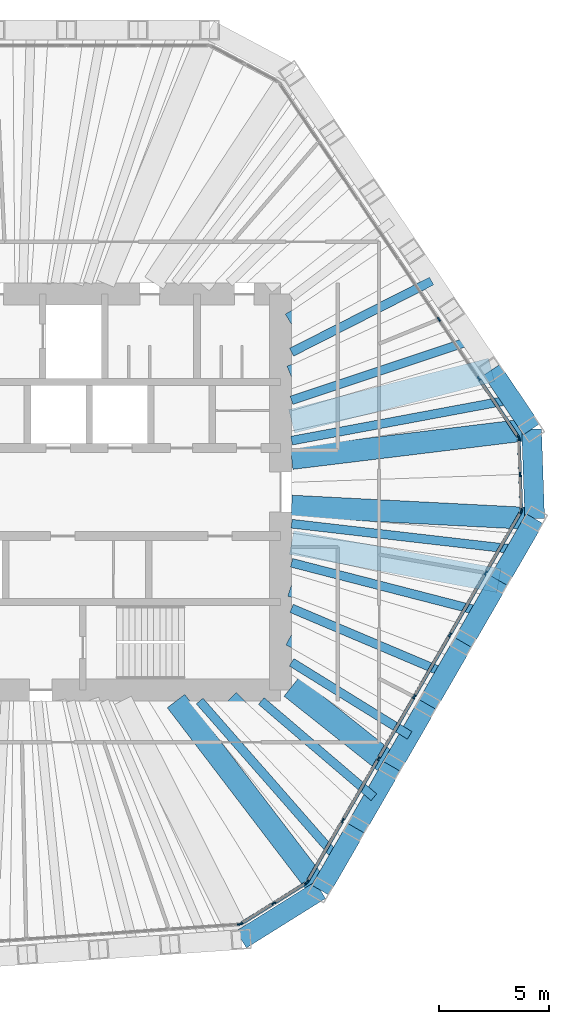
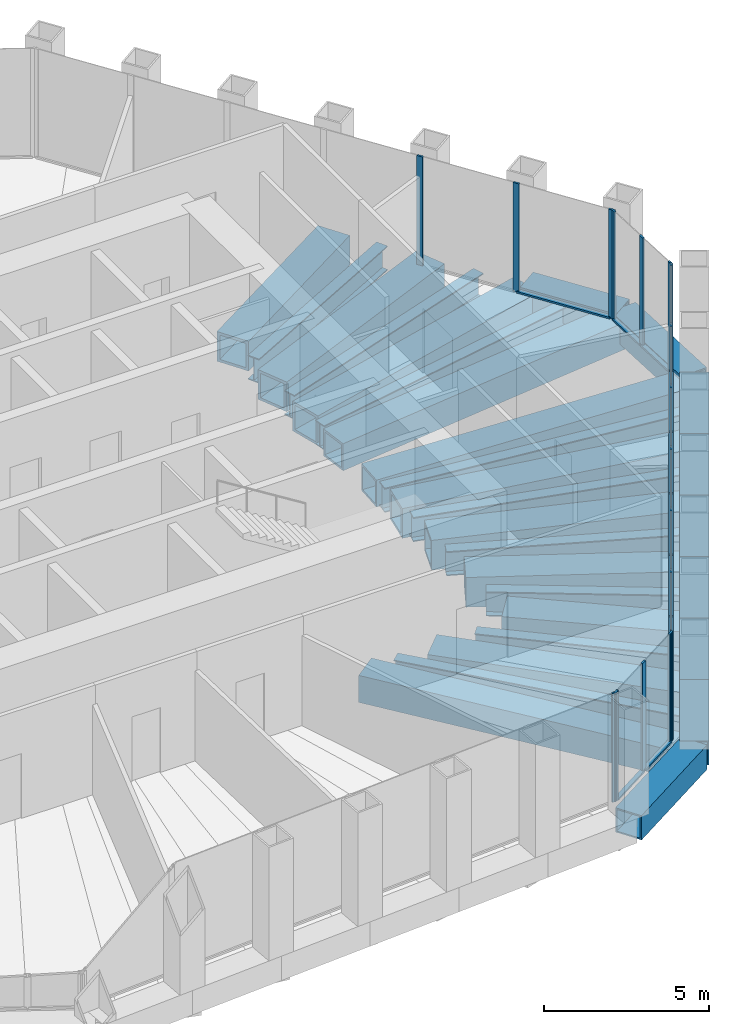
# One storey, part 5 of 14: 29 beams, 28 members, 5 elements without a shape of their own.
"""IFC4 building model written with IfcOpenShell, lengths in metres."""

from ifc_helpers import new_model, si_unit, direction, frame, origin, origin_2d, place, context, subcontext, project, spatial, rectangle, hollow_rectangle, i_section, extrude, material, material_profile, profile_set, type_object, element, aggregate, save


model = new_model("IFC4")

# Units and contexts
model_context = context("Model", 3, precision=1e-05, world=origin(), true_north=direction((0.0, 1.0)))
body_context = subcontext(model_context, "Body", "Model", "MODEL_VIEW")
ifc_project = project(units=[si_unit("LENGTHUNIT", "METRE"), si_unit("AREAUNIT", "SQUARE_METRE"), si_unit("VOLUMEUNIT", "CUBIC_METRE"), si_unit("PLANEANGLEUNIT", "RADIAN"), si_unit("MASSUNIT", "GRAM", prefix="KILO")], contexts=[model_context])

# Site, building, storey
site_placement = place(None, origin())
site = spatial("IfcSite", under=ifc_project, at=site_placement, CompositionType="ELEMENT")
building_placement = place(site_placement, origin())
building = spatial("IfcBuilding", under=site, at=building_placement, Name="Qingtian Harvest Tower", CompositionType="ELEMENT")
storey_placement = place(building_placement, frame((0.0, 0.0, 266.199951171875)))
storey = spatial("IfcBuildingStorey", under=building, at=storey_placement, Name="L58", CompositionType="ELEMENT", Elevation=266.199951171875)

# Beams
ifc_material_1 = material(Name="Steel SN490B", Category="steel")
ifc_material_profile_1 = material_profile(ifc_material_1, i_section(OverallWidth=0.39990234375, OverallDepth=0.89990234375, WebThickness=0.01904296875, FlangeThickness=0.035888671875, at=origin_2d()), Name="H900x400x19x36")
ifc_profile_set_1 = profile_set([ifc_material_profile_1], Name="Steel SN490B")
beam_type_1 = type_object("IfcBeamType", Name="Floor joist J4 H900x400x19x36", PredefinedType="JOIST", material=ifc_profile_set_1)
beam_1_placement = place(storey_placement, frame((18.864990234375, 9.585693359375, -0.619873046875), z_axis=(-0.891515522375, -0.452990147094, 0.0), x_axis=(0.452990147094, -0.891515522375, 0.0)))
element("IfcBeam", 1, at=beam_1_placement, inside=storey, type_object=beam_type_1, Name="Floor joist J4 NE3", PredefinedType="JOIST", context=body_context, shape_type="SweptSolid", body=[
    extrude(i_section(OverallWidth=0.39990234375, OverallDepth=0.89990234375, WebThickness=0.01904296875, FlangeThickness=0.035888671875, at=origin_2d()), origin(), (0.0, 0.0, 1.0), 7.139404296875),
])
beam_2_placement = place(storey_placement, frame((20.68115234375, 6.89306640625, -0.619873046875), z_axis=(-0.94869179092, -0.316202286267, 0.0), x_axis=(0.316202286267, -0.94869179092, 0.0)))
element("IfcBeam", 2, at=beam_2_placement, inside=storey, type_object=beam_type_1, Name="Floor joist J4 NE4", PredefinedType="JOIST", context=body_context, shape_type="SweptSolid", body=[
    extrude(i_section(OverallWidth=0.39990234375, OverallDepth=0.89990234375, WebThickness=0.01904296875, FlangeThickness=0.035888671875, at=origin_2d()), origin(), (0.0, 0.0, 1.0), 8.62353515625),
])
beam_3_placement = place(storey_placement, frame((22.49755859375, 4.2001953125, -0.619873046875), z_axis=(-0.983015918388, -0.183520310038, 0.0), x_axis=(0.183520310038, -0.983015918388, 0.0)))
element("IfcBeam", 3, at=beam_3_placement, inside=storey, type_object=beam_type_1, Name="Floor joist J4 NE5", PredefinedType="JOIST", context=body_context, shape_type="SweptSolid", body=[
    extrude(i_section(OverallWidth=0.39990234375, OverallDepth=0.89990234375, WebThickness=0.01904296875, FlangeThickness=0.035888671875, at=origin_2d()), origin(), (0.0, 0.0, 1.0), 10.17041015625),
])
beam_4_placement = place(storey_placement, frame((22.735595703125, -2.62060546875, -0.619873046875), z_axis=(-0.993423767351, 0.114495495381, 0.0), x_axis=(-0.114495495381, -0.993423767351, 0.0)))
element("IfcBeam", 4, at=beam_4_placement, inside=storey, type_object=beam_type_1, Name="Floor joist J4 SE0", PredefinedType="JOIST", context=body_context, shape_type="SweptSolid", body=[
    extrude(i_section(OverallWidth=0.39990234375, OverallDepth=0.89990234375, WebThickness=0.01904296875, FlangeThickness=0.035888671875, at=origin_2d()), origin(), (0.0, 0.0, 1.0), 10.303466796875),
])
beam_5_placement = place(storey_placement, frame((21.111572265625, -5.43359375, -0.619873046875), z_axis=(-0.968434631662, 0.249267655738, 0.0), x_axis=(-0.249267655738, -0.968434631662, 0.0)))
element("IfcBeam", 5, at=beam_5_placement, inside=storey, type_object=beam_type_1, Name="Floor joist J4 SE1", PredefinedType="JOIST", context=body_context, shape_type="SweptSolid", body=[
    extrude(i_section(OverallWidth=0.39990234375, OverallDepth=0.89990234375, WebThickness=0.01904296875, FlangeThickness=0.035888671875, at=origin_2d()), origin(), (0.0, 0.0, 1.0), 8.892333984375),
])
beam_6_placement = place(storey_placement, frame((19.487548828125, -8.246337890625, -0.619873046875), z_axis=(-0.920942823677, 0.389697723265, 0.0), x_axis=(-0.389697723265, -0.920942823677, 0.0)))
element("IfcBeam", 6, at=beam_6_placement, inside=storey, type_object=beam_type_1, Name="Floor joist J4 SE2", PredefinedType="JOIST", context=body_context, shape_type="SweptSolid", body=[
    extrude(i_section(OverallWidth=0.39990234375, OverallDepth=0.89990234375, WebThickness=0.01904296875, FlangeThickness=0.035888671875, at=origin_2d()), origin(), (0.0, 0.0, 1.0), 7.58740234375),
])
beam_7_placement = place(storey_placement, frame((17.863525390625, -11.059326171875, -0.619873046875), z_axis=(-0.850245350939, 0.52638659102, 0.0), x_axis=(-0.52638659102, -0.850245350939, 0.0)))
element("IfcBeam", 7, at=beam_7_placement, inside=storey, type_object=beam_type_1, Name="Floor joist J4 SE3", PredefinedType="JOIST", context=body_context, shape_type="SweptSolid", body=[
    extrude(i_section(OverallWidth=0.39990234375, OverallDepth=0.89990234375, WebThickness=0.01904296875, FlangeThickness=0.035888671875, at=origin_2d()), origin(), (0.0, 0.0, 1.0), 6.30810546875),
])
beam_8_placement = place(storey_placement, frame((16.239501953125, -13.8720703125, -0.619873046875), z_axis=(-0.760351288112, 0.649512061987, 0.0), x_axis=(-0.649512061987, -0.760351288112, 0.0)))
element("IfcBeam", 8, at=beam_8_placement, inside=storey, type_object=beam_type_1, Name="Floor joist J4 SE4", PredefinedType="JOIST", context=body_context, shape_type="SweptSolid", body=[
    extrude(i_section(OverallWidth=0.39990234375, OverallDepth=0.89990234375, WebThickness=0.01904296875, FlangeThickness=0.035888671875, at=origin_2d()), origin(), (0.0, 0.0, 1.0), 6.731201171875),
])
beam_9_placement = place(storey_placement, frame((14.615478515625, -16.68505859375, -0.619873046875), z_axis=(-0.658906232771, 0.752225083612, 0.0), x_axis=(-0.752225083612, -0.658906232771, 0.0)))
element("IfcBeam", 9, at=beam_9_placement, inside=storey, type_object=beam_type_1, Name="Floor joist J4 SE5", PredefinedType="JOIST", context=body_context, shape_type="SweptSolid", body=[
    extrude(i_section(OverallWidth=0.39990234375, OverallDepth=0.89990234375, WebThickness=0.01904296875, FlangeThickness=0.035888671875, at=origin_2d()), origin(), (0.0, 0.0, 1.0), 9.5517578125),
])

# Curtain wall, members
ifc_material_2 = material(Name="Bronze-anodised aluminium curtain wall", Category="aluminium")
curtain_wall_type = type_object("IfcCurtainWallType", Name="Curtain wall CW5 upper office", PredefinedType="USERDEFINED", material=ifc_material_2)
curtain_wall_1_placement = place(storey_placement, origin())
curtain_wall_1 = element("IfcCurtainWall", 10, at=curtain_wall_1_placement, inside=storey, type_object=curtain_wall_type, Name="Curtain wall CW5 L58 NE0-5", ObjectType="RECESSED CURTAIN WALL", PredefinedType="USERDEFINED")
ifc_material_3 = material(Name="Bronze-anodised aluminium mullion", Category="aluminium")
ifc_material_profile_2 = material_profile(ifc_material_3, rectangle(XDim=0.06494140625, YDim=0.199951171875, at=origin_2d()), Name="AL 65x200")
ifc_profile_set_2 = profile_set([ifc_material_profile_2], Name="Bronze-anodised aluminium mullion")
member_type_1 = type_object("IfcMemberType", Name="Mullion CWM 65x200", PredefinedType="MULLION", material=ifc_profile_set_2)
member_1_placement = place(storey_placement, frame((19.192626953125, 7.847900390625, 0.0), z_axis=(0.0, 0.0, 1.0), x_axis=(0.829037572555, 0.559192903471, 0.0)))
member_1 = element("IfcMember", 11, at=member_1_placement, type_object=member_type_1, Name="CW5 mullion 5", PredefinedType="MULLION", context=body_context, shape_type="SweptSolid", body=[
    extrude(rectangle(XDim=0.06494140625, YDim=0.199951171875, at=origin_2d()), origin(), (0.0, 0.0, 1.0), 4.030029296875),
])
member_2_placement = place(storey_placement, frame((21.009033203125, 5.1552734375, 0.0), z_axis=(0.0, 0.0, 1.0), x_axis=(0.829037572555, 0.559192903471, 0.0)))
member_2 = element("IfcMember", 12, at=member_2_placement, type_object=member_type_1, Name="CW5 mullion 6", PredefinedType="MULLION", context=body_context, shape_type="SweptSolid", body=[
    extrude(rectangle(XDim=0.06494140625, YDim=0.199951171875, at=origin_2d()), origin(), (0.0, 0.0, 1.0), 4.030029296875),
])
member_3_placement = place(storey_placement, frame((22.80712890625, 2.489501953125, 0.0), z_axis=(0.0, 0.0, 1.0), x_axis=(0.829037572555, 0.559192903471, 0.0)))
member_3 = element("IfcMember", 13, at=member_3_placement, type_object=member_type_1, Name="CW5 mullion 7", PredefinedType="MULLION", context=body_context, shape_type="SweptSolid", body=[
    extrude(rectangle(XDim=0.06494140625, YDim=0.199951171875, at=origin_2d()), origin(), (0.0, 0.0, 1.0), 4.030029296875),
])

curtain_wall_2_placement = place(storey_placement, origin())
curtain_wall_2 = element("IfcCurtainWall", 14, at=curtain_wall_2_placement, inside=storey, type_object=curtain_wall_type, Name="Curtain wall CW5 L58 NEC", ObjectType="RECESSED CURTAIN WALL", PredefinedType="USERDEFINED")
member_4_placement = place(storey_placement, frame((22.826416015625, 2.429931640625, 0.0), z_axis=(0.0, 0.0, 1.0), x_axis=(0.999390827019, 0.034899496703, 0.0)))
member_4 = element("IfcMember", 15, at=member_4_placement, type_object=member_type_1, Name="CW5 mullion 1", PredefinedType="MULLION", context=body_context, shape_type="SweptSolid", body=[
    extrude(rectangle(XDim=0.06494140625, YDim=0.199951171875, at=origin_2d()), origin(), (0.0, 0.0, 1.0), 4.030029296875),
])
member_5_placement = place(storey_placement, frame((22.88330078125, 0.799072265625, 0.0), z_axis=(0.0, 0.0, 1.0), x_axis=(0.999390827019, 0.034899496703, 0.0)))
member_5 = element("IfcMember", 16, at=member_5_placement, type_object=member_type_1, Name="CW5 mullion 2", PredefinedType="MULLION", context=body_context, shape_type="SweptSolid", body=[
    extrude(rectangle(XDim=0.06494140625, YDim=0.199951171875, at=origin_2d()), origin(), (0.0, 0.0, 1.0), 4.030029296875),
])
member_6_placement = place(storey_placement, frame((22.9404296875, -0.831787109375, 0.0), z_axis=(0.0, 0.0, 1.0), x_axis=(0.999390827019, 0.034899496703, 0.0)))
member_6 = element("IfcMember", 17, at=member_6_placement, type_object=member_type_1, Name="CW5 mullion 3", PredefinedType="MULLION", context=body_context, shape_type="SweptSolid", body=[
    extrude(rectangle(XDim=0.06494140625, YDim=0.199951171875, at=origin_2d()), origin(), (0.0, 0.0, 1.0), 4.030029296875),
])

curtain_wall_3_placement = place(storey_placement, origin())
curtain_wall_3 = element("IfcCurtainWall", 18, at=curtain_wall_3_placement, inside=storey, type_object=curtain_wall_type, Name="Curtain wall CW5 L58 SE0-5", ObjectType="RECESSED CURTAIN WALL", PredefinedType="USERDEFINED")
member_7_placement = place(storey_placement, frame((22.92529296875, -0.892333984375, 0.0), z_axis=(0.0, 0.0, 1.0), x_axis=(0.866025403784, -0.5, 0.0)))
member_7 = element("IfcMember", 19, at=member_7_placement, type_object=member_type_1, Name="CW5 mullion 1", PredefinedType="MULLION", context=body_context, shape_type="SweptSolid", body=[
    extrude(rectangle(XDim=0.06494140625, YDim=0.199951171875, at=origin_2d()), origin(), (0.0, 0.0, 1.0), 4.030029296875),
])
member_8_placement = place(storey_placement, frame((21.3173828125, -3.67724609375, 0.0), z_axis=(0.0, 0.0, 1.0), x_axis=(0.866025403784, -0.5, 0.0)))
member_8 = element("IfcMember", 20, at=member_8_placement, type_object=member_type_1, Name="CW5 mullion 2", PredefinedType="MULLION", context=body_context, shape_type="SweptSolid", body=[
    extrude(rectangle(XDim=0.06494140625, YDim=0.199951171875, at=origin_2d()), origin(), (0.0, 0.0, 1.0), 4.030029296875),
])
member_9_placement = place(storey_placement, frame((19.693359375, -6.489990234375, 0.0), z_axis=(0.0, 0.0, 1.0), x_axis=(0.866025403784, -0.5, 0.0)))
member_9 = element("IfcMember", 21, at=member_9_placement, type_object=member_type_1, Name="CW5 mullion 3", PredefinedType="MULLION", context=body_context, shape_type="SweptSolid", body=[
    extrude(rectangle(XDim=0.06494140625, YDim=0.199951171875, at=origin_2d()), origin(), (0.0, 0.0, 1.0), 4.030029296875),
])
member_10_placement = place(storey_placement, frame((18.0693359375, -9.302978515625, 0.0), z_axis=(0.0, 0.0, 1.0), x_axis=(0.866025403784, -0.5, 0.0)))
member_10 = element("IfcMember", 22, at=member_10_placement, type_object=member_type_1, Name="CW5 mullion 4", PredefinedType="MULLION", context=body_context, shape_type="SweptSolid", body=[
    extrude(rectangle(XDim=0.06494140625, YDim=0.199951171875, at=origin_2d()), origin(), (0.0, 0.0, 1.0), 4.030029296875),
])
member_11_placement = place(storey_placement, frame((16.4453125, -12.11572265625, 0.0), z_axis=(0.0, 0.0, 1.0), x_axis=(0.866025403784, -0.5, 0.0)))
member_11 = element("IfcMember", 23, at=member_11_placement, type_object=member_type_1, Name="CW5 mullion 5", PredefinedType="MULLION", context=body_context, shape_type="SweptSolid", body=[
    extrude(rectangle(XDim=0.06494140625, YDim=0.199951171875, at=origin_2d()), origin(), (0.0, 0.0, 1.0), 4.030029296875),
])
member_12_placement = place(storey_placement, frame((14.8212890625, -14.9287109375, 0.0), z_axis=(0.0, 0.0, 1.0), x_axis=(0.866025403784, -0.5, 0.0)))
member_12 = element("IfcMember", 24, at=member_12_placement, type_object=member_type_1, Name="CW5 mullion 6", PredefinedType="MULLION", context=body_context, shape_type="SweptSolid", body=[
    extrude(rectangle(XDim=0.06494140625, YDim=0.199951171875, at=origin_2d()), origin(), (0.0, 0.0, 1.0), 4.030029296875),
])
member_13_placement = place(storey_placement, frame((13.213623046875, -17.71337890625, 0.0), z_axis=(0.0, 0.0, 1.0), x_axis=(0.866025403784, -0.5, 0.0)))
member_13 = element("IfcMember", 25, at=member_13_placement, type_object=member_type_1, Name="CW5 mullion 7", PredefinedType="MULLION", context=body_context, shape_type="SweptSolid", body=[
    extrude(rectangle(XDim=0.06494140625, YDim=0.199951171875, at=origin_2d()), origin(), (0.0, 0.0, 1.0), 4.030029296875),
])

curtain_wall_4_placement = place(storey_placement, origin())
curtain_wall_4 = element("IfcCurtainWall", 26, at=curtain_wall_4_placement, inside=storey, type_object=curtain_wall_type, Name="Curtain wall CW5 L58 SEC", ObjectType="RECESSED CURTAIN WALL", PredefinedType="USERDEFINED")
member_14_placement = place(storey_placement, frame((13.169921875, -17.7587890625, 0.0), z_axis=(0.0, 0.0, 1.0), x_axis=(0.529919264233, -0.848048096156, 0.0)))
member_14 = element("IfcMember", 27, at=member_14_placement, type_object=member_type_1, Name="CW5 mullion 1", PredefinedType="MULLION", context=body_context, shape_type="SweptSolid", body=[
    extrude(rectangle(XDim=0.06494140625, YDim=0.199951171875, at=origin_2d()), origin(), (0.0, 0.0, 1.0), 4.030029296875),
])
member_15_placement = place(storey_placement, frame((11.678955078125, -18.690185546875, 0.0), z_axis=(0.0, 0.0, 1.0), x_axis=(0.529919264233, -0.848048096156, 0.0)))
member_15 = element("IfcMember", 28, at=member_15_placement, type_object=member_type_1, Name="CW5 mullion 2", PredefinedType="MULLION", context=body_context, shape_type="SweptSolid", body=[
    extrude(rectangle(XDim=0.06494140625, YDim=0.199951171875, at=origin_2d()), origin(), (0.0, 0.0, 1.0), 4.030029296875),
])
member_16_placement = place(storey_placement, frame((10.188232421875, -19.621826171875, 0.0), z_axis=(0.0, 0.0, 1.0), x_axis=(0.529919264233, -0.848048096156, 0.0)))
member_16 = element("IfcMember", 29, at=member_16_placement, type_object=member_type_1, Name="CW5 mullion 3", PredefinedType="MULLION", context=body_context, shape_type="SweptSolid", body=[
    extrude(rectangle(XDim=0.06494140625, YDim=0.199951171875, at=origin_2d()), origin(), (0.0, 0.0, 1.0), 4.030029296875),
])

# Curtain wall, member
curtain_wall_5_placement = place(storey_placement, origin())
curtain_wall_5 = element("IfcCurtainWall", 30, at=curtain_wall_5_placement, inside=storey, type_object=curtain_wall_type, Name="Curtain wall CW5 L58 S0-5", ObjectType="RECESSED CURTAIN WALL", PredefinedType="USERDEFINED")
member_17_placement = place(storey_placement, frame((10.128173828125, -19.641357421875, 0.0), z_axis=(0.0, 0.0, 1.0), x_axis=(0.069756473744, -0.99756405026, 0.0)))
member_17 = element("IfcMember", 31, at=member_17_placement, type_object=member_type_1, Name="CW5 mullion 1", PredefinedType="MULLION", context=body_context, shape_type="SweptSolid", body=[
    extrude(rectangle(XDim=0.06494140625, YDim=0.199951171875, at=origin_2d()), origin(), (0.0, 0.0, 1.0), 4.030029296875),
])
aggregate(curtain_wall_5, [member_17])

# Beams
ifc_material_4 = material(Name="Steel SM570MC", Category="steel")
ifc_material_profile_3 = material_profile(ifc_material_4, hollow_rectangle(XDim=1.0, YDim=1.0, WallThickness=0.080078125, at=origin_2d()), Name="BOX1000x1000x80")
ifc_profile_set_3 = profile_set([ifc_material_profile_3], Name="Steel SM570MC")
beam_type_2 = type_object("IfcBeamType", Name="Transfer corner beam FB11 BOX1000x1000x80", PredefinedType="BEAM", material=ifc_profile_set_3)
beam_10_placement = place(storey_placement, frame((23.405517578125, 2.85400390625, -0.669921875), z_axis=(-0.99264704984, -0.12104476215, 0.0), x_axis=(0.12104476215, -0.99264704984, 0.0)))
element("IfcBeam", 32, at=beam_10_placement, inside=storey, type_object=beam_type_2, Name="Floor beam FB11 NE6", PredefinedType="BEAM", context=body_context, shape_type="SweptSolid", body=[
    extrude(hollow_rectangle(XDim=1.0, YDim=1.0, WallThickness=0.080078125, at=origin_2d()), origin(), (0.0, 0.0, 1.0), 10.986328125),
])
beam_11_placement = place(storey_placement, frame((23.547607421875, -1.21435546875, -0.669921875), z_axis=(-0.998672453152, 0.051510497131, 0.0), x_axis=(-0.051510497131, -0.998672453152, 0.0)))
element("IfcBeam", 33, at=beam_11_placement, inside=storey, type_object=beam_type_2, Name="Floor beam FB11 SE0", PredefinedType="BEAM", context=body_context, shape_type="SweptSolid", body=[
    extrude(hollow_rectangle(XDim=1.0, YDim=1.0, WallThickness=0.080078125, at=origin_2d()), origin(), (0.0, 0.0, 1.0), 11.062255859375),
])
beam_12_placement = place(storey_placement, frame((13.803466796875, -18.091552734375, -0.669921875), z_axis=(-0.60658352266, 0.795019767073, 0.0), x_axis=(-0.795019767073, -0.60658352266, 0.0)))
element("IfcBeam", 34, at=beam_12_placement, inside=storey, type_object=beam_type_2, Name="Floor beam FB11 SE6", PredefinedType="BEAM", context=body_context, shape_type="SweptSolid", body=[
    extrude(hollow_rectangle(XDim=1.0, YDim=1.0, WallThickness=0.080078125, at=origin_2d()), origin(), (0.0, 0.0, 1.0), 10.806640625),
])
ifc_material_5 = material(Name="Steel SM570MC", Category="steel")
ifc_material_profile_4 = material_profile(ifc_material_5, hollow_rectangle(XDim=1.10009765625, YDim=1.10009765625, WallThickness=0.10009765625, at=origin_2d()), Name="BOX1100x1100x100")
ifc_profile_set_4 = profile_set([ifc_material_profile_4], Name="Steel SM570MC")
beam_type_3 = type_object("IfcBeamType", Name="Transfer floor beam FB9 BOX1100x1100x100", PredefinedType="BEAM", material=ifc_profile_set_4)
beam_13_placement = place(storey_placement, frame((17.956787109375, 10.93212890625, -0.719970703125), z_axis=(-0.854163869478, -0.520003926983, 0.0), x_axis=(0.520003926983, -0.854163869478, 0.0)))
element("IfcBeam", 35, at=beam_13_placement, inside=storey, type_object=beam_type_3, Name="Floor beam FB9 NE3", PredefinedType="BEAM", context=body_context, shape_type="SweptSolid", body=[
    extrude(hollow_rectangle(XDim=1.10009765625, YDim=1.10009765625, WallThickness=0.10009765625, at=origin_2d()), origin(), (0.0, 0.0, 1.0), 6.388427734375),
])
beam_14_placement = place(storey_placement, frame((19.77294921875, 8.2392578125, -0.719970703125), z_axis=(-0.923071422518, -0.38462858569, 0.0), x_axis=(0.38462858569, -0.923071422518, 0.0)))
element("IfcBeam", 36, at=beam_14_placement, inside=storey, type_object=beam_type_3, Name="Floor beam FB9 NE4", PredefinedType="BEAM", context=body_context, shape_type="SweptSolid", body=[
    extrude(hollow_rectangle(XDim=1.10009765625, YDim=1.10009765625, WallThickness=0.10009765625, at=origin_2d()), origin(), (0.0, 0.0, 1.0), 7.879150390625),
])
beam_15_placement = place(storey_placement, frame((21.58935546875, 5.546630859375, -0.719970703125), z_axis=(-0.968545797703, -0.248835362746, 0.0), x_axis=(0.248835362746, -0.968545797703, 0.0)))
element("IfcBeam", 37, at=beam_15_placement, inside=storey, type_object=beam_type_3, Name="Floor beam FB9 NE5", PredefinedType="BEAM", context=body_context, shape_type="SweptSolid", body=[
    extrude(hollow_rectangle(XDim=1.10009765625, YDim=1.10009765625, WallThickness=0.10009765625, at=origin_2d()), origin(), (0.0, 0.0, 1.0), 9.384521484375),
])
beam_16_placement = place(storey_placement, frame((21.923583984375, -4.027099609375, -0.719970703125), z_axis=(-0.983545410638, 0.180661078303, 0.0), x_axis=(-0.180661078303, -0.983545410638, 0.0)))
element("IfcBeam", 38, at=beam_16_placement, inside=storey, type_object=beam_type_3, Name="Floor beam FB9 SE1", PredefinedType="BEAM", context=body_context, shape_type="SweptSolid", body=[
    extrude(hollow_rectangle(XDim=1.10009765625, YDim=1.10009765625, WallThickness=0.10009765625, at=origin_2d()), origin(), (0.0, 0.0, 1.0), 9.581298828125),
])
beam_17_placement = place(storey_placement, frame((20.299560546875, -6.840087890625, -0.719970703125), z_axis=(-0.947645968799, 0.319322905253, 0.0), x_axis=(-0.319322905253, -0.947645968799, 0.0)))
element("IfcBeam", 39, at=beam_17_placement, inside=storey, type_object=beam_type_3, Name="Floor beam FB9 SE2", PredefinedType="BEAM", context=body_context, shape_type="SweptSolid", body=[
    extrude(hollow_rectangle(XDim=1.10009765625, YDim=1.10009765625, WallThickness=0.10009765625, at=origin_2d()), origin(), (0.0, 0.0, 1.0), 8.23046875),
])
beam_18_placement = place(storey_placement, frame((18.675537109375, -9.65283203125, -0.719970703125), z_axis=(-0.888355479692, 0.459156336884, 0.0), x_axis=(-0.459156336884, -0.888355479692, 0.0)))
element("IfcBeam", 40, at=beam_18_placement, inside=storey, type_object=beam_type_3, Name="Floor beam FB9 SE3", PredefinedType="BEAM", context=body_context, shape_type="SweptSolid", body=[
    extrude(hollow_rectangle(XDim=1.10009765625, YDim=1.10009765625, WallThickness=0.10009765625, at=origin_2d()), origin(), (0.0, 0.0, 1.0), 6.95166015625),
])
beam_19_placement = place(storey_placement, frame((17.051513671875, -12.4658203125, -0.719970703125), z_axis=(-0.783003151269, 0.622017736968, 0.0), x_axis=(-0.622017736968, -0.783003151269, 0.0)))
element("IfcBeam", 41, at=beam_19_placement, inside=storey, type_object=beam_type_3, Name="Floor beam FB9 SE4", PredefinedType="BEAM", context=body_context, shape_type="SweptSolid", body=[
    extrude(hollow_rectangle(XDim=1.10009765625, YDim=1.10009765625, WallThickness=0.10009765625, at=origin_2d()), origin(), (0.0, 0.0, 1.0), 5.81298828125),
])
beam_20_placement = place(storey_placement, frame((15.427490234375, -15.278564453125, -0.719970703125), z_axis=(-0.710532187344, 0.703664700513, 0.0), x_axis=(-0.703664700513, -0.710532187344, 0.0)))
element("IfcBeam", 42, at=beam_20_placement, inside=storey, type_object=beam_type_3, Name="Floor beam FB9 SE5", PredefinedType="BEAM", context=body_context, shape_type="SweptSolid", body=[
    extrude(hollow_rectangle(XDim=1.10009765625, YDim=1.10009765625, WallThickness=0.10009765625, at=origin_2d()), origin(), (0.0, 0.0, 1.0), 8.212158203125),
])
ifc_material_6 = material(Name="Steel SM570MC", Category="steel")
ifc_material_profile_5 = material_profile(ifc_material_6, hollow_rectangle(XDim=0.89990234375, YDim=0.89990234375, WallThickness=0.050048828125, at=origin_2d()), Name="BOX900x900x50")
ifc_profile_set_5 = profile_set([ifc_material_profile_5], Name="Steel SM570MC")
beam_type_4 = type_object("IfcBeamType", Name="Transition spandrel SB6 BOX900x900x50", PredefinedType="SPANDREL", material=ifc_profile_set_5)
beam_21_placement = place(storey_placement, frame((21.58935546875, 5.546630859375, -0.449951171875), z_axis=(0.559184924833, -0.829042954158, 0.0), x_axis=(0.829042954158, 0.559184924833, 0.0)))
element("IfcBeam", 43, at=beam_21_placement, inside=storey, type_object=beam_type_4, Name="Spandrel SB6 NE5", PredefinedType="SPANDREL", context=body_context, shape_type="SweptSolid", body=[
    extrude(hollow_rectangle(XDim=0.89990234375, YDim=0.89990234375, WallThickness=0.050048828125, at=origin_2d()), origin(), (0.0, 0.0, 1.0), 3.247802734375),
])
beam_22_placement = place(storey_placement, frame((23.405517578125, 2.85400390625, -0.449951171875), z_axis=(0.034904306503, -0.999390659046, 0.0), x_axis=(0.999390659046, 0.034904306503, 0.0)))
element("IfcBeam", 44, at=beam_22_placement, inside=storey, type_object=beam_type_4, Name="Spandrel SB6 NEC", PredefinedType="SPANDREL", context=body_context, shape_type="SweptSolid", body=[
    extrude(hollow_rectangle(XDim=0.89990234375, YDim=0.89990234375, WallThickness=0.050048828125, at=origin_2d()), origin(), (0.0, 0.0, 1.0), 4.07080078125),
])
beam_23_placement = place(storey_placement, frame((23.547607421875, -1.21435546875, -0.449951171875), z_axis=(-0.500019593356, -0.866014091259, 0.0), x_axis=(0.866014091259, -0.500019593356, 0.0)))
element("IfcBeam", 45, at=beam_23_placement, inside=storey, type_object=beam_type_4, Name="Spandrel SB6 SE0", PredefinedType="SPANDREL", context=body_context, shape_type="SweptSolid", body=[
    extrude(hollow_rectangle(XDim=0.89990234375, YDim=0.89990234375, WallThickness=0.050048828125, at=origin_2d()), origin(), (0.0, 0.0, 1.0), 3.247802734375),
])
beam_24_placement = place(storey_placement, frame((21.923583984375, -4.027099609375, -0.449951171875), z_axis=(-0.499987045439, -0.866032882975, 0.0), x_axis=(0.866032882975, -0.499987045439, 0.0)))
element("IfcBeam", 46, at=beam_24_placement, inside=storey, type_object=beam_type_4, Name="Spandrel SB6 SE1", PredefinedType="SPANDREL", context=body_context, shape_type="SweptSolid", body=[
    extrude(hollow_rectangle(XDim=0.89990234375, YDim=0.89990234375, WallThickness=0.050048828125, at=origin_2d()), origin(), (0.0, 0.0, 1.0), 3.248046875),
])
beam_25_placement = place(storey_placement, frame((20.299560546875, -6.840087890625, -0.449951171875), z_axis=(-0.500019593356, -0.866014091259, 0.0), x_axis=(0.866014091259, -0.500019593356, 0.0)))
element("IfcBeam", 47, at=beam_25_placement, inside=storey, type_object=beam_type_4, Name="Spandrel SB6 SE2", PredefinedType="SPANDREL", context=body_context, shape_type="SweptSolid", body=[
    extrude(hollow_rectangle(XDim=0.89990234375, YDim=0.89990234375, WallThickness=0.050048828125, at=origin_2d()), origin(), (0.0, 0.0, 1.0), 3.247802734375),
])
beam_26_placement = place(storey_placement, frame((18.675537109375, -9.65283203125, -0.449951171875), z_axis=(-0.499987045439, -0.866032882975, 0.0), x_axis=(0.866032882975, -0.499987045439, 0.0)))
element("IfcBeam", 48, at=beam_26_placement, inside=storey, type_object=beam_type_4, Name="Spandrel SB6 SE3", PredefinedType="SPANDREL", context=body_context, shape_type="SweptSolid", body=[
    extrude(hollow_rectangle(XDim=0.89990234375, YDim=0.89990234375, WallThickness=0.050048828125, at=origin_2d()), origin(), (0.0, 0.0, 1.0), 3.248046875),
])
beam_27_placement = place(storey_placement, frame((17.051513671875, -12.4658203125, -0.449951171875), z_axis=(-0.500019593356, -0.866014091259, 0.0), x_axis=(0.866014091259, -0.500019593356, 0.0)))
element("IfcBeam", 49, at=beam_27_placement, inside=storey, type_object=beam_type_4, Name="Spandrel SB6 SE4", PredefinedType="SPANDREL", context=body_context, shape_type="SweptSolid", body=[
    extrude(hollow_rectangle(XDim=0.89990234375, YDim=0.89990234375, WallThickness=0.050048828125, at=origin_2d()), origin(), (0.0, 0.0, 1.0), 3.247802734375),
])
beam_28_placement = place(storey_placement, frame((15.427490234375, -15.278564453125, -0.449951171875), z_axis=(-0.499987045439, -0.866032882975, 0.0), x_axis=(0.866032882975, -0.499987045439, 0.0)))
element("IfcBeam", 50, at=beam_28_placement, inside=storey, type_object=beam_type_4, Name="Spandrel SB6 SE5", PredefinedType="SPANDREL", context=body_context, shape_type="SweptSolid", body=[
    extrude(hollow_rectangle(XDim=0.89990234375, YDim=0.89990234375, WallThickness=0.050048828125, at=origin_2d()), origin(), (0.0, 0.0, 1.0), 3.248046875),
])
beam_29_placement = place(storey_placement, frame((13.803466796875, -18.091552734375, -0.449951171875), z_axis=(-0.848040374245, -0.529931621675, 0.0), x_axis=(0.529931621675, -0.848040374245, 0.0)))
element("IfcBeam", 51, at=beam_29_placement, inside=storey, type_object=beam_type_4, Name="Spandrel SB6 SEC", PredefinedType="SPANDREL", context=body_context, shape_type="SweptSolid", body=[
    extrude(hollow_rectangle(XDim=0.89990234375, YDim=0.89990234375, WallThickness=0.050048828125, at=origin_2d()), origin(), (0.0, 0.0, 1.0), 4.238037109375),
])

# Member
ifc_material_7 = material(Name="Bronze-anodised aluminium transom", Category="aluminium")
ifc_material_profile_6 = material_profile(ifc_material_7, rectangle(XDim=0.14990234375, YDim=0.06494140625, at=origin_2d()), Name="AL 65x150")
ifc_profile_set_6 = profile_set([ifc_material_profile_6], Name="Bronze-anodised aluminium transom")
member_type_2 = type_object("IfcMemberType", Name="Transom CWT 65x150", PredefinedType="USERDEFINED", material=ifc_profile_set_6)
member_18_placement = place(storey_placement, frame((21.027099609375, 5.128173828125, 0.032470703125), z_axis=(0.559198649732, -0.829033696624, 0.0), x_axis=(0.829033696624, 0.559198649732, 0.0)))
member_18 = element("IfcMember", 52, at=member_18_placement, type_object=member_type_2, Name="CW5 transom 6.1", ObjectType="TRANSOM", PredefinedType="USERDEFINED", context=body_context, shape_type="SweptSolid", body=[
    extrude(rectangle(XDim=0.14990234375, YDim=0.06494140625, at=origin_2d()), origin(), (0.0, 0.0, 1.0), 3.150390625),
])

aggregate(curtain_wall_1, [member_1, member_2, member_3, member_18])

member_19_placement = place(storey_placement, frame((22.82763671875, 2.3974609375, 0.032470703125), z_axis=(0.034902326647, -0.999390728191, 0.0), x_axis=(0.999390728191, 0.034902326647, 0.0)))
member_19 = element("IfcMember", 53, at=member_19_placement, type_object=member_type_2, Name="CW5 transom 1.1", ObjectType="TRANSOM", PredefinedType="USERDEFINED", context=body_context, shape_type="SweptSolid", body=[
    extrude(rectangle(XDim=0.14990234375, YDim=0.06494140625, at=origin_2d()), origin(), (0.0, 0.0, 1.0), 1.56689453125),
])

member_20_placement = place(storey_placement, frame((22.884521484375, 0.7666015625, 0.032470703125), z_axis=(0.034902326647, -0.999390728191, 0.0), x_axis=(0.999390728191, 0.034902326647, 0.0)))
member_20 = element("IfcMember", 54, at=member_20_placement, type_object=member_type_2, Name="CW5 transom 2.1", ObjectType="TRANSOM", PredefinedType="USERDEFINED", context=body_context, shape_type="SweptSolid", body=[
    extrude(rectangle(XDim=0.14990234375, YDim=0.06494140625, at=origin_2d()), origin(), (0.0, 0.0, 1.0), 1.56689453125),
])

aggregate(curtain_wall_2, [member_4, member_5, member_6, member_19, member_20])

member_21_placement = place(storey_placement, frame((22.908935546875, -0.920654296875, 0.032470703125), z_axis=(-0.50000643655, -0.866021687608, 0.0), x_axis=(0.866021687608, -0.50000643655, 0.0)))
member_21 = element("IfcMember", 55, at=member_21_placement, type_object=member_type_2, Name="CW5 transom 1.1", ObjectType="TRANSOM", PredefinedType="USERDEFINED", context=body_context, shape_type="SweptSolid", body=[
    extrude(rectangle(XDim=0.14990234375, YDim=0.06494140625, at=origin_2d()), origin(), (0.0, 0.0, 1.0), 3.150390625),
])

member_22_placement = place(storey_placement, frame((21.30126953125, -3.705322265625, 0.032470703125), z_axis=(-0.5000079448, -0.866020816803, 0.0), x_axis=(0.866020816803, -0.5000079448, 0.0)))
member_22 = element("IfcMember", 56, at=member_22_placement, type_object=member_type_2, Name="CW5 transom 2.1", ObjectType="TRANSOM", PredefinedType="USERDEFINED", context=body_context, shape_type="SweptSolid", body=[
    extrude(rectangle(XDim=0.14990234375, YDim=0.06494140625, at=origin_2d()), origin(), (0.0, 0.0, 1.0), 3.18310546875),
])

member_23_placement = place(storey_placement, frame((19.67724609375, -6.51806640625, 0.032470703125), z_axis=(-0.5000079448, -0.866020816803, 0.0), x_axis=(0.866020816803, -0.5000079448, 0.0)))
member_23 = element("IfcMember", 57, at=member_23_placement, type_object=member_type_2, Name="CW5 transom 3.1", ObjectType="TRANSOM", PredefinedType="USERDEFINED", context=body_context, shape_type="SweptSolid", body=[
    extrude(rectangle(XDim=0.14990234375, YDim=0.06494140625, at=origin_2d()), origin(), (0.0, 0.0, 1.0), 3.18310546875),
])

member_24_placement = place(storey_placement, frame((18.05322265625, -9.3310546875, 0.032470703125), z_axis=(-0.5000079448, -0.866020816803, 0.0), x_axis=(0.866020816803, -0.5000079448, 0.0)))
member_24 = element("IfcMember", 58, at=member_24_placement, type_object=member_type_2, Name="CW5 transom 4.1", ObjectType="TRANSOM", PredefinedType="USERDEFINED", context=body_context, shape_type="SweptSolid", body=[
    extrude(rectangle(XDim=0.14990234375, YDim=0.06494140625, at=origin_2d()), origin(), (0.0, 0.0, 1.0), 3.18310546875),
])

member_25_placement = place(storey_placement, frame((16.42919921875, -12.143798828125, 0.032470703125), z_axis=(-0.5000079448, -0.866020816803, 0.0), x_axis=(0.866020816803, -0.5000079448, 0.0)))
member_25 = element("IfcMember", 59, at=member_25_placement, type_object=member_type_2, Name="CW5 transom 5.1", ObjectType="TRANSOM", PredefinedType="USERDEFINED", context=body_context, shape_type="SweptSolid", body=[
    extrude(rectangle(XDim=0.14990234375, YDim=0.06494140625, at=origin_2d()), origin(), (0.0, 0.0, 1.0), 3.18310546875),
])

member_26_placement = place(storey_placement, frame((14.80517578125, -14.956787109375, 0.032470703125), z_axis=(-0.499972881236, -0.866041060244, 0.0), x_axis=(0.866041060244, -0.499972881236, 0.0)))
member_26 = element("IfcMember", 60, at=member_26_placement, type_object=member_type_2, Name="CW5 transom 6.1", ObjectType="TRANSOM", PredefinedType="USERDEFINED", context=body_context, shape_type="SweptSolid", body=[
    extrude(rectangle(XDim=0.14990234375, YDim=0.06494140625, at=origin_2d()), origin(), (0.0, 0.0, 1.0), 3.150634765625),
])

aggregate(curtain_wall_3, [member_7, member_8, member_9, member_10, member_11, member_12, member_13, member_21, member_22, member_23, member_24, member_25, member_26])

member_27_placement = place(storey_placement, frame((13.142333984375, -17.77587890625, 0.032470703125), z_axis=(-0.84803880708, -0.529934129573, 0.0), x_axis=(0.529934129573, -0.84803880708, 0.0)))
member_27 = element("IfcMember", 61, at=member_27_placement, type_object=member_type_2, Name="CW5 transom 1.1", ObjectType="TRANSOM", PredefinedType="USERDEFINED", context=body_context, shape_type="SweptSolid", body=[
    extrude(rectangle(XDim=0.14990234375, YDim=0.06494140625, at=origin_2d()), origin(), (0.0, 0.0, 1.0), 1.693115234375),
])

member_28_placement = place(storey_placement, frame((11.6513671875, -18.70751953125, 0.032470703125), z_axis=(-0.847998304005, -0.529998940003, 0.0), x_axis=(0.529998940003, -0.847998304005, 0.0)))
member_28 = element("IfcMember", 62, at=member_28_placement, type_object=member_type_2, Name="CW5 transom 2.1", ObjectType="TRANSOM", PredefinedType="USERDEFINED", context=body_context, shape_type="SweptSolid", body=[
    extrude(rectangle(XDim=0.14990234375, YDim=0.06494140625, at=origin_2d()), origin(), (0.0, 0.0, 1.0), 1.69287109375),
])

aggregate(curtain_wall_4, [member_14, member_15, member_16, member_27, member_28])

save(model, "model.ifc")
